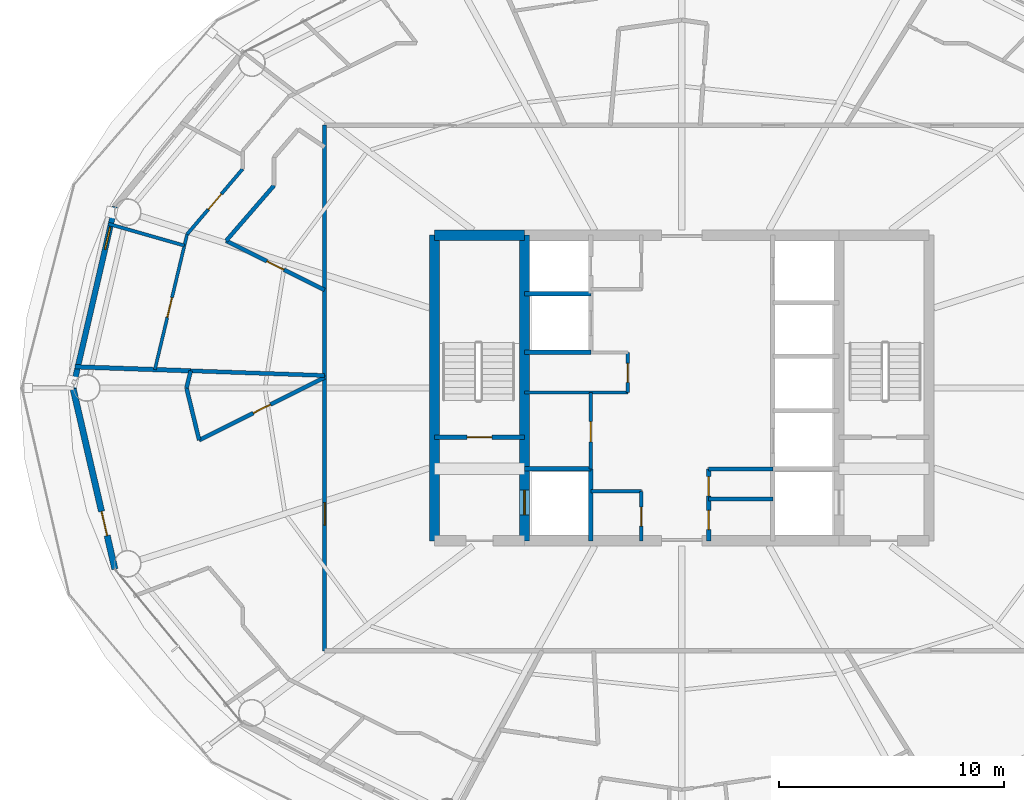
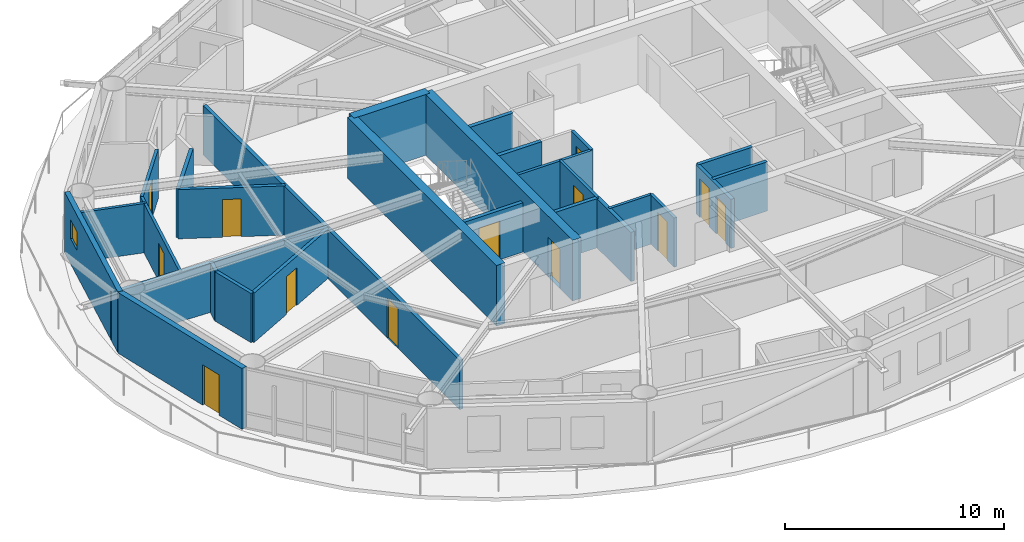
# One storey, part 21 of 28: 30 walls, 13 doors, 1 window, 14 openings.
"""IFC4 building model written with IfcOpenShell, lengths in metres."""

from ifc_helpers import new_model, si_unit, direction, frame, frame_2d, origin, place, context, subcontext, project, spatial, rectangle, extrude, material, layer, layer_set, type_object, element, fill, save


model = new_model("IFC4")

# Units and contexts
model_context = context("Model", 3, precision=1e-05, world=origin(), true_north=direction((0.0, 1.0)))
body_context = subcontext(model_context, "Body", "Model", "MODEL_VIEW")
ifc_project = project(units=[si_unit("LENGTHUNIT", "METRE"), si_unit("AREAUNIT", "SQUARE_METRE"), si_unit("VOLUMEUNIT", "CUBIC_METRE"), si_unit("PLANEANGLEUNIT", "RADIAN"), si_unit("MASSUNIT", "GRAM", prefix="KILO")], contexts=[model_context])

# Site, building, storey
site_placement = place(None, origin())
site = spatial("IfcSite", under=ifc_project, at=site_placement, CompositionType="ELEMENT")
building_placement = place(site_placement, origin())
building = spatial("IfcBuilding", under=site, at=building_placement, Name="Sarneth Arch Tower", CompositionType="ELEMENT")
storey_placement = place(building_placement, frame((0.0, 0.0, 190.199951171875)))
storey = spatial("IfcBuildingStorey", under=building, at=storey_placement, Name="L48", CompositionType="ELEMENT", Elevation=190.199951171875)

# Walls
ifc_material_1 = material(Name="Concrete C50/60", Category="concrete")
ifc_layer_1 = layer(ifc_material_1, 0.449951171875)
ifc_layer_set_1 = layer_set([ifc_layer_1], Name="Concrete C50/60")
wall_type_1 = type_object("IfcWallType", Name="WALL-CORE-450", PredefinedType="SHEAR", material=ifc_layer_set_1)
wall_1_placement = place(storey_placement, frame((37.0, 48.800048828125, 0.0), z_axis=(0.0, 0.0, 1.0), x_axis=(1.0, 0.0, 0.0)))
element("IfcWall", 1, at=wall_1_placement, inside=storey, type_object=wall_type_1, Name="L48 Core shear wall N-W", PredefinedType="SHEAR", context=body_context, shape_type="SweptSolid", body=[
    extrude(rectangle(XDim=4.0, YDim=0.449951171875, at=frame_2d((2.0, 0.0))), origin(), (0.0, 0.0, 1.0), 3.380126953125),
])
wall_2_placement = place(storey_placement, frame((37.0, 35.199951171875, 0.0), z_axis=(0.0, 0.0, 1.0), x_axis=(0.0, 1.0, 0.0)))
element("IfcWall", 2, at=wall_2_placement, inside=storey, type_object=wall_type_1, Name="L48 Core shear wall W", PredefinedType="SHEAR", context=body_context, shape_type="SweptSolid", body=[
    extrude(rectangle(XDim=13.60009765625, YDim=0.449951171875, at=frame_2d((6.800048828125, 0.0))), origin(), (0.0, 0.0, 1.0), 3.380126953125),
])

# Wall, opening, door
wall_3_placement = place(storey_placement, frame((41.0, 35.199951171875, 0.0), z_axis=(0.0, 0.0, 1.0), x_axis=(0.0, 1.0, 0.0)))
wall_3 = element("IfcWall", 3, at=wall_3_placement, inside=storey, type_object=wall_type_1, Name="L48 Core shear wall WEB-W", PredefinedType="SHEAR", context=body_context, shape_type="SweptSolid", body=[
    extrude(rectangle(XDim=13.60009765625, YDim=0.449951171875, at=frame_2d((6.800048828125, 0.0))), origin(), (0.0, 0.0, 1.0), 3.380126953125),
])
opening_1_placement = place(wall_3_placement, frame((1.14990234375, 0.0, 0.0)))
opening_1 = element("IfcOpeningElement", 4, at=opening_1_placement, cuts=wall_3, Name="Opening LD-1", PredefinedType="OPENING", context=body_context, shape_type="SweptSolid", body=[
    extrude(rectangle(XDim=1.10009765625, YDim=2.199951171875, at=frame_2d((0.550048828125, 1.10009765625))), frame((0.0, 0.23486328125, 0.0), z_axis=(0.0, -1.0, 0.0), x_axis=(1.0, 0.0, 0.0)), (0.0, 0.0, 1.0), 0.469970703125),
])
ifc_material_2 = material(Name="Brushed Stainless Steel 304 lift landing door", Category="steel")
door_type_1 = type_object("IfcDoorType", Name="DR-LIFT-SLIDE-1100", OperationType="SLIDING_TO_LEFT", PredefinedType="DOOR", material=ifc_material_2)
door_1_placement = place(opening_1_placement, origin())
door_1 = element("IfcDoor", 5, at=door_1_placement, inside=storey, type_object=door_type_1, Name="L48 Firefighting lift landing door FL-1", OperationType="SLIDING_TO_LEFT", OverallHeight=2.199951171875, OverallWidth=1.10009765625, PredefinedType="DOOR", context=body_context, shape_type="SweptSolid", body=[
    extrude(rectangle(XDim=1.10009765625, YDim=2.199951171875, at=frame_2d((0.550048828125, 1.10009765625))), frame((0.0, 0.02490234375, 0.0), z_axis=(0.0, -1.0, 0.0), x_axis=(1.0, 0.0, 0.0)), (0.0, 0.0, 1.0), 0.050048828125),
])
fill(opening_1, door_1)

ifc_material_3 = material(Name="Double steel-stud corridor fire wall", Category="steel")
ifc_layer_2 = layer(ifc_material_3, 0.18994140625)
ifc_layer_set_2 = layer_set([ifc_layer_2], Name="Double steel-stud corridor fire wall")
wall_type_2 = type_object("IfcWallType", Name="WALL-CORR-190", PredefinedType="PARTITIONING", material=ifc_layer_set_2)
wall_4_placement = place(storey_placement, frame((32.10009765625, 30.300048828125, 0.0), z_axis=(0.0, 0.0, 1.0), x_axis=(0.0, 1.0, 0.0)))
wall_4 = element("IfcWall", 6, at=wall_4_placement, inside=storey, type_object=wall_type_2, Name="L48 Interior partition W-L48-TP-012", PredefinedType="PARTITIONING", context=body_context, shape_type="SweptSolid", body=[
    extrude(rectangle(XDim=12.287109375, YDim=0.18994140625, at=frame_2d((6.1435546875, 0.0))), origin(), (0.0, 0.0, 1.0), 2.739990234375),
])
opening_2_placement = place(wall_4_placement, frame((5.6005859375, 0.0, 0.0)))
opening_2 = element("IfcOpeningElement", 7, at=opening_2_placement, cuts=wall_4, Name="Opening FD-08", PredefinedType="OPENING", context=body_context, shape_type="SweptSolid", body=[
    extrude(rectangle(XDim=1.0, YDim=2.199951171875, at=frame_2d((0.5, 1.10009765625))), frame((0.0, 0.10498046875, 0.0), z_axis=(0.0, -1.0, 0.0), x_axis=(1.0, 0.0, 0.0)), (0.0, 0.0, 1.0), 0.2099609375),
])
ifc_material_4 = material(Name="Hardwood timber acoustic fire door", Category="wood")
door_type_2 = type_object("IfcDoorType", Name="DR-FD60-1000", OperationType="SINGLE_SWING_LEFT", PredefinedType="DOOR", material=ifc_material_4)
door_2_placement = place(opening_2_placement, origin())
door_2 = element("IfcDoor", 8, at=door_2_placement, inside=storey, type_object=door_type_2, Name="L48 Interior door DR-L48-U4-ENT", OperationType="SINGLE_SWING_LEFT", OverallHeight=2.199951171875, OverallWidth=1.0, PredefinedType="DOOR", context=body_context, shape_type="SweptSolid", body=[
    extrude(rectangle(XDim=1.0, YDim=2.199951171875, at=frame_2d((0.5, 1.10009765625))), frame((0.0, 0.02490234375, 0.0), z_axis=(0.0, -1.0, 0.0), x_axis=(1.0, 0.0, 0.0)), (0.0, 0.0, 1.0), 0.050048828125),
])
fill(opening_2, door_2)

# Wall
wall_5_placement = place(storey_placement, frame((32.10009765625, 42.523193359375, 0.0), z_axis=(0.0, 0.0, 1.0), x_axis=(0.0, 1.0, 0.0)))
element("IfcWall", 9, at=wall_5_placement, inside=storey, type_object=wall_type_2, Name="L48 Interior partition W-L48-TP-010", PredefinedType="PARTITIONING", context=body_context, shape_type="SweptSolid", body=[
    extrude(rectangle(XDim=11.1767578125, YDim=0.18994140625, at=frame_2d((5.58837890625, 0.0))), origin(), (0.0, 0.0, 1.0), 2.739990234375),
])

# Wall, opening, window
ifc_material_5 = material(Name="Extruded terracotta rainscreen on Concrete C40/50 backing", Category="masonry")
ifc_layer_3 = layer(ifc_material_5, 0.25)
ifc_layer_set_3 = layer_set([ifc_layer_3], Name="Extruded terracotta rainscreen on Concrete C40/50 backing")
wall_type_3 = type_object("IfcWallType", Name="WALL-EXT-SPAND-250", PredefinedType="SOLIDWALL", material=ifc_layer_set_3)
wall_6_placement = place(storey_placement, frame((22.767578125, 50.06689453125, 0.0), z_axis=(0.0, 0.0, 1.0), x_axis=(-0.225473184558, -0.974249374157, 0.0)))
wall_6 = element("IfcWall", 10, at=wall_6_placement, inside=storey, type_object=wall_type_3, Name="L48 Terracotta perimeter wall 08", PredefinedType="SOLIDWALL", context=body_context, shape_type="SweptSolid", body=[
    extrude(rectangle(XDim=8.280029296875, YDim=0.25, at=frame_2d((4.14013671875, 0.0))), origin(), (0.0, 0.0, 1.0), 3.380126953125),
])
opening_3_placement = place(wall_6_placement, frame((0.9462890625, 0.0, 1.419921875)))
opening_3 = element("IfcOpeningElement", 11, at=opening_3_placement, cuts=wall_6, Name="Opening W-14", PredefinedType="OPENING", context=body_context, shape_type="SweptSolid", body=[
    extrude(rectangle(XDim=1.0, YDim=1.050048828125, at=frame_2d((0.5, 0.52490234375))), frame((0.0, 0.135009765625, 0.0), z_axis=(0.0, -1.0, 0.0), x_axis=(1.0, 0.0, 0.0)), (0.0, 0.0, 1.0), 0.27001953125),
])
ifc_material_6 = material(Name="Thermally broken Aluminium 6063-T6 and low-e laminated IGU", Category="aluminium")
window_type = type_object("IfcWindowType", Name="WIN-TWR-1000x1050", PartitioningType="SINGLE_PANEL", PredefinedType="WINDOW", material=ifc_material_6)
window_placement = place(opening_3_placement, origin())
window = element("IfcWindow", 12, at=window_placement, inside=storey, type_object=window_type, Name="L48 Dwelling bedroom window 02", OverallHeight=1.050048828125, OverallWidth=1.0, PartitioningType="SINGLE_PANEL", PredefinedType="WINDOW", context=body_context, shape_type="SweptSolid", body=[
    extrude(rectangle(XDim=1.0, YDim=1.050048828125, at=frame_2d((0.5, 0.52490234375))), frame((0.0, 0.030029296875, 0.0), z_axis=(0.0, -1.0, 0.0), x_axis=(1.0, 0.0, 0.0)), (0.0, 0.0, 1.0), 0.06005859375),
])
fill(opening_3, window)

# Wall, opening, door
ifc_material_7 = material(Name="Extruded terracotta rainscreen on Concrete C40/50 backing", Category="masonry")
ifc_layer_4 = layer(ifc_material_7, 0.280029296875)
ifc_layer_set_4 = layer_set([ifc_layer_4], Name="Extruded terracotta rainscreen on Concrete C40/50 backing")
wall_type_4 = type_object("IfcWallType", Name="WALL-EXT-TERRA-280", PredefinedType="SOLIDWALL", material=ifc_layer_set_4)
wall_7_placement = place(storey_placement, frame((20.900634765625, 42.0, 0.0), z_axis=(0.0, 0.0, 1.0), x_axis=(0.225473184558, -0.974249374157, 0.0)))
wall_7 = element("IfcWall", 13, at=wall_7_placement, inside=storey, type_object=wall_type_4, Name="L48 Terracotta perimeter wall 09", PredefinedType="SOLIDWALL", context=body_context, shape_type="SweptSolid", body=[
    extrude(rectangle(XDim=8.280029296875, YDim=0.280029296875, at=frame_2d((4.14013671875, 0.0))), origin(), (0.0, 0.0, 1.0), 3.380126953125),
])
opening_4_placement = place(wall_7_placement, frame((5.643798828125, 0.0, 0.0)))
opening_4 = element("IfcOpeningElement", 14, at=opening_4_placement, cuts=wall_7, Name="Opening BD-3", PredefinedType="OPENING", context=body_context, shape_type="SweptSolid", body=[
    extrude(rectangle(XDim=1.10009765625, YDim=2.25, at=frame_2d((0.550048828125, 1.125))), frame((0.0, 0.14990234375, 0.0), z_axis=(0.0, -1.0, 0.0), x_axis=(1.0, 0.0, 0.0)), (0.0, 0.0, 1.0), 0.300048828125),
])
ifc_material_8 = material(Name="Thermally broken Aluminium 6063-T6 and laminated safety glass", Category="aluminium")
door_type_3 = type_object("IfcDoorType", Name="DR-BALC-GLZ-1100", OperationType="SINGLE_SWING_LEFT", PredefinedType="DOOR", material=ifc_material_8)
door_3_placement = place(opening_4_placement, origin())
door_3 = element("IfcDoor", 15, at=door_3_placement, inside=storey, type_object=door_type_3, Name="L48 Balcony glazed door 09", OperationType="SINGLE_SWING_LEFT", OverallHeight=2.25, OverallWidth=1.10009765625, PredefinedType="DOOR", context=body_context, shape_type="SweptSolid", body=[
    extrude(rectangle(XDim=1.10009765625, YDim=2.25, at=frame_2d((0.550048828125, 1.125))), frame((0.0, 0.02490234375, 0.0), z_axis=(0.0, -1.0, 0.0), x_axis=(1.0, 0.0, 0.0)), (0.0, 0.0, 1.0), 0.050048828125),
])
fill(opening_4, door_3)

ifc_material_9 = material(Name="Apartment internal stud partition", Category="gypsum")
ifc_layer_5 = layer(ifc_material_9, 0.139892578125)
ifc_layer_set_5 = layer_set([ifc_layer_5], Name="Apartment internal stud partition")
wall_type_5 = type_object("IfcWallType", Name="WALL-PART-140", PredefinedType="PARTITIONING", material=ifc_layer_set_5)
wall_8_placement = place(storey_placement, frame((25.980712890625, 48.84228515625, 0.0), z_axis=(0.0, 0.0, 1.0), x_axis=(-0.231656065658, -0.972797752487, 0.0)))
wall_8 = element("IfcWall", 16, at=wall_8_placement, inside=storey, type_object=wall_type_5, Name="L48 Interior partition W-L48-TP-068", PredefinedType="PARTITIONING", context=body_context, shape_type="SweptSolid", body=[
    extrude(rectangle(XDim=6.191650390625, YDim=0.139892578125, at=frame_2d((3.095703125, 0.0))), origin(), (0.0, 0.0, 1.0), 2.739990234375),
])
opening_5_placement = place(wall_8_placement, frame((2.9052734375, 0.0, 0.0)))
opening_5 = element("IfcOpeningElement", 17, at=opening_5_placement, cuts=wall_8, Name="Opening ID-01", PredefinedType="OPENING", context=body_context, shape_type="SweptSolid", body=[
    extrude(rectangle(XDim=0.89990234375, YDim=2.10009765625, at=frame_2d((0.449951171875, 1.050048828125))), frame((0.0, 0.079833984375, 0.0), z_axis=(0.0, -1.0, 0.0), x_axis=(1.0, 0.0, 0.0)), (0.0, 0.0, 1.0), 0.159912109375),
])
ifc_material_10 = material(Name="Engineered hardwood flush door", Category="wood")
door_type_4 = type_object("IfcDoorType", Name="DR-INT-900", OperationType="SINGLE_SWING_LEFT", PredefinedType="DOOR", material=ifc_material_10)
door_4_placement = place(opening_5_placement, origin())
door_4 = element("IfcDoor", 18, at=door_4_placement, inside=storey, type_object=door_type_4, Name="L48 Interior door DR-L48-U3-BED3", OperationType="SINGLE_SWING_RIGHT", OverallHeight=2.10009765625, OverallWidth=0.89990234375, PredefinedType="DOOR", context=body_context, shape_type="SweptSolid", body=[
    extrude(rectangle(XDim=0.89990234375, YDim=2.10009765625, at=frame_2d((0.449951171875, 1.050048828125))), frame((0.0, 0.02490234375, 0.0), z_axis=(0.0, -1.0, 0.0), x_axis=(1.0, 0.0, 0.0)), (0.0, 0.0, 1.0), 0.050048828125),
])
fill(opening_5, door_4)

ifc_material_11 = material(Name="Acoustic gypsum stud partition", Category="gypsum")
ifc_layer_6 = layer(ifc_material_11, 0.14990234375)
ifc_layer_set_6 = layer_set([ifc_layer_6], Name="Acoustic gypsum stud partition")
wall_type_6 = type_object("IfcWallType", Name="WALL-PART-150", PredefinedType="PARTITIONING", material=ifc_layer_set_6)
wall_9_placement = place(storey_placement, frame((43.949951171875, 38.39990234375, 0.0), z_axis=(0.0, 0.0, 1.0), x_axis=(0.0, 1.0, 0.0)))
wall_9 = element("IfcWall", 19, at=wall_9_placement, inside=storey, type_object=wall_type_6, Name="L48 Interior partition W-L48-RECPL-E1", PredefinedType="PARTITIONING", context=body_context, shape_type="SweptSolid", body=[
    extrude(rectangle(XDim=3.400146484375, YDim=0.14990234375, at=frame_2d((1.7001953125, 0.0))), origin(), (0.0, 0.0, 1.0), 2.739990234375),
])
opening_6_placement = place(wall_9_placement, frame((1.199951171875, 0.0, 0.0)))
opening_6 = element("IfcOpeningElement", 20, at=opening_6_placement, cuts=wall_9, Name="Opening FD-10", PredefinedType="OPENING", context=body_context, shape_type="SweptSolid", body=[
    extrude(rectangle(XDim=0.89990234375, YDim=2.14990234375, at=frame_2d((0.449951171875, 1.074951171875))), frame((0.0, 0.0849609375, 0.0), z_axis=(0.0, -1.0, 0.0), x_axis=(1.0, 0.0, 0.0)), (0.0, 0.0, 1.0), 0.169921875),
])
ifc_material_12 = material(Name="Galvanised Steel S275 riser/service fire door", Category="steel")
door_type_5 = type_object("IfcDoorType", Name="DR-FD60-900", OperationType="SINGLE_SWING_LEFT", PredefinedType="DOOR", material=ifc_material_12)
door_5_placement = place(opening_6_placement, origin())
door_5 = element("IfcDoor", 21, at=door_5_placement, inside=storey, type_object=door_type_5, Name="L48 Interior door DR-L48-RECPL1", OperationType="SINGLE_SWING_LEFT", OverallHeight=2.14990234375, OverallWidth=0.89990234375, PredefinedType="DOOR", context=body_context, shape_type="SweptSolid", body=[
    extrude(rectangle(XDim=0.89990234375, YDim=2.14990234375, at=frame_2d((0.449951171875, 1.074951171875))), frame((0.0, 0.02490234375, 0.0), z_axis=(0.0, -1.0, 0.0), x_axis=(1.0, 0.0, 0.0)), (0.0, 0.0, 1.0), 0.050048828125),
])
fill(opening_6, door_5)

# Wall
wall_10_placement = place(storey_placement, frame((41.0, 41.800048828125, 0.0), z_axis=(0.0, 0.0, 1.0), x_axis=(1.0, 0.0, 0.0)))
element("IfcWall", 22, at=wall_10_placement, inside=storey, type_object=wall_type_6, Name="L48 Interior partition W-L48-RECPL-S2", PredefinedType="PARTITIONING", context=body_context, shape_type="SweptSolid", body=[
    extrude(rectangle(XDim=4.60009765625, YDim=0.14990234375, at=frame_2d((2.300048828125, 0.0))), origin(), (0.0, 0.0, 1.0), 2.739990234375),
])

# Wall, opening, door
wall_11_placement = place(storey_placement, frame((45.60009765625, 41.800048828125, 0.0), z_axis=(0.0, 0.0, 1.0), x_axis=(0.0, 1.0, 0.0)))
wall_11 = element("IfcWall", 23, at=wall_11_placement, inside=storey, type_object=wall_type_6, Name="L48 Interior partition W-L48-RECPL-E2", PredefinedType="PARTITIONING", context=body_context, shape_type="SweptSolid", body=[
    extrude(rectangle(XDim=1.780029296875, YDim=0.14990234375, at=frame_2d((0.89013671875, 0.0))), origin(), (0.0, 0.0, 1.0), 2.739990234375),
])
opening_7_placement = place(wall_11_placement, frame((0.449951171875, 0.0, 0.0)))
opening_7 = element("IfcOpeningElement", 24, at=opening_7_placement, cuts=wall_11, Name="Opening FD-11", PredefinedType="OPENING", context=body_context, shape_type="SweptSolid", body=[
    extrude(rectangle(XDim=0.85009765625, YDim=2.14990234375, at=frame_2d((0.425048828125, 1.074951171875))), frame((0.0, 0.0849609375, 0.0), z_axis=(0.0, -1.0, 0.0), x_axis=(1.0, 0.0, 0.0)), (0.0, 0.0, 1.0), 0.169921875),
])
ifc_material_13 = material(Name="Galvanised Steel S275 closet fire door", Category="steel")
door_type_6 = type_object("IfcDoorType", Name="DR-FD60-850", OperationType="SINGLE_SWING_LEFT", PredefinedType="DOOR", material=ifc_material_13)
door_6_placement = place(opening_7_placement, origin())
door_6 = element("IfcDoor", 25, at=door_6_placement, inside=storey, type_object=door_type_6, Name="L48 Interior door DR-L48-RECPL2", OperationType="SINGLE_SWING_RIGHT", OverallHeight=2.14990234375, OverallWidth=0.85009765625, PredefinedType="DOOR", context=body_context, shape_type="SweptSolid", body=[
    extrude(rectangle(XDim=0.85009765625, YDim=2.14990234375, at=frame_2d((0.425048828125, 1.074951171875))), frame((0.0, 0.02490234375, 0.0), z_axis=(0.0, -1.0, 0.0), x_axis=(1.0, 0.0, 0.0)), (0.0, 0.0, 1.0), 0.050048828125),
])
fill(opening_7, door_6)

# Wall
wall_12_placement = place(storey_placement, frame((43.949951171875, 37.39990234375, 0.0), z_axis=(0.0, 0.0, 1.0), x_axis=(1.0, 0.0, 0.0)))
element("IfcWall", 26, at=wall_12_placement, inside=storey, type_object=wall_type_6, Name="L48 Interior partition W-L48-CSUP1-N", PredefinedType="PARTITIONING", context=body_context, shape_type="SweptSolid", body=[
    extrude(rectangle(XDim=2.25, YDim=0.14990234375, at=frame_2d((1.125, 0.0))), origin(), (0.0, 0.0, 1.0), 2.739990234375),
])

# Wall, opening, door
wall_13_placement = place(storey_placement, frame((46.199951171875, 35.199951171875, 0.0), z_axis=(0.0, 0.0, 1.0), x_axis=(0.0, 1.0, 0.0)))
wall_13 = element("IfcWall", 27, at=wall_13_placement, inside=storey, type_object=wall_type_6, Name="L48 Interior partition W-L48-CSUP1-E", PredefinedType="PARTITIONING", context=body_context, shape_type="SweptSolid", body=[
    extrude(rectangle(XDim=2.199951171875, YDim=0.14990234375, at=frame_2d((1.10009765625, 0.0))), origin(), (0.0, 0.0, 1.0), 2.739990234375),
])
opening_8_placement = place(wall_13_placement, frame((0.64990234375, 0.0, 0.0)))
opening_8 = element("IfcOpeningElement", 28, at=opening_8_placement, cuts=wall_13, Name="Opening FD-11", PredefinedType="OPENING", context=body_context, shape_type="SweptSolid", body=[
    extrude(rectangle(XDim=0.85009765625, YDim=2.14990234375, at=frame_2d((0.425048828125, 1.074951171875))), frame((0.0, 0.0849609375, 0.0), z_axis=(0.0, -1.0, 0.0), x_axis=(1.0, 0.0, 0.0)), (0.0, 0.0, 1.0), 0.169921875),
])
door_7_placement = place(opening_8_placement, origin())
door_7 = element("IfcDoor", 29, at=door_7_placement, inside=storey, type_object=door_type_6, Name="L48 Interior door DR-L48-CSUP1", OperationType="SINGLE_SWING_LEFT", OverallHeight=2.14990234375, OverallWidth=0.85009765625, PredefinedType="DOOR", context=body_context, shape_type="SweptSolid", body=[
    extrude(rectangle(XDim=0.85009765625, YDim=2.14990234375, at=frame_2d((0.425048828125, 1.074951171875))), frame((0.0, 0.02490234375, 0.0), z_axis=(0.0, -1.0, 0.0), x_axis=(1.0, 0.0, 0.0)), (0.0, 0.0, 1.0), 0.050048828125),
])
fill(opening_8, door_7)

wall_14_placement = place(storey_placement, frame((25.980712890625, 48.84228515625, 0.0), z_axis=(0.0, 0.0, 1.0), x_axis=(0.648022171798, 0.761621470849, 0.0)))
wall_14 = element("IfcWall", 30, at=wall_14_placement, inside=storey, type_object=wall_type_6, Name="L48 Interior partition W-L48-TP-066", PredefinedType="PARTITIONING", context=body_context, shape_type="SweptSolid", body=[
    extrude(rectangle(XDim=3.810302734375, YDim=0.14990234375, at=frame_2d((1.9052734375, 0.0))), origin(), (0.0, 0.0, 1.0), 2.739990234375),
])
opening_9_placement = place(wall_14_placement, frame((1.455078125, 0.0, 0.0)))
opening_9 = element("IfcOpeningElement", 31, at=opening_9_placement, cuts=wall_14, Name="Opening ID-01", PredefinedType="OPENING", context=body_context, shape_type="SweptSolid", body=[
    extrude(rectangle(XDim=0.89990234375, YDim=2.10009765625, at=frame_2d((0.449951171875, 1.050048828125))), frame((0.0, 0.0849609375, 0.0), z_axis=(0.0, -1.0, 0.0), x_axis=(1.0, 0.0, 0.0)), (0.0, 0.0, 1.0), 0.169921875),
])
door_8_placement = place(opening_9_placement, origin())
door_8 = element("IfcDoor", 32, at=door_8_placement, inside=storey, type_object=door_type_4, Name="L48 Interior door DR-L48-U3-BED2", OperationType="SINGLE_SWING_LEFT", OverallHeight=2.10009765625, OverallWidth=0.89990234375, PredefinedType="DOOR", context=body_context, shape_type="SweptSolid", body=[
    extrude(rectangle(XDim=0.89990234375, YDim=2.10009765625, at=frame_2d((0.449951171875, 1.050048828125))), frame((0.0, 0.02490234375, 0.0), z_axis=(0.0, -1.0, 0.0), x_axis=(1.0, 0.0, 0.0)), (0.0, 0.0, 1.0), 0.050048828125),
])
fill(opening_9, door_8)

# Walls
wall_15_placement = place(storey_placement, frame((22.468994140625, 49.30859375, 0.0), z_axis=(0.0, 0.0, 1.0), x_axis=(0.961393254498, -0.275178142674, 0.0)))
element("IfcWall", 33, at=wall_15_placement, inside=storey, type_object=wall_type_6, Name="L48 Interior partition W-L48-TP-074", PredefinedType="PARTITIONING", context=body_context, shape_type="SweptSolid", body=[
    extrude(rectangle(XDim=3.527587890625, YDim=0.14990234375, at=frame_2d((1.763671875, 0.0))), origin(), (0.0, 0.0, 1.0), 2.739990234375),
])
ifc_material_14 = material(Name="Moisture-resistant plumbing chase wall", Category="gypsum")
ifc_layer_7 = layer(ifc_material_14, 0.179931640625)
ifc_layer_set_7 = layer_set([ifc_layer_7], Name="Moisture-resistant plumbing chase wall")
wall_type_7 = type_object("IfcWallType", Name="WALL-PLUMB-180", PredefinedType="PLUMBINGWALL", material=ifc_layer_set_7)
for number, where, z_axis, x_axis, name in (
    (34, (49.199951171875, 37.050048828125, 0.0), (0.0, 0.0, 1.0), (1.0, 0.0, 0.0), "L48 Interior partition W-L48-AWC-M"),
    (35, (49.199951171875, 38.39990234375, 0.0), (0.0, 0.0, 1.0), (1.0, 0.0, 0.0), "L48 Interior partition W-L48-AWC-N"),
):
    element("IfcWall", number, at=place(storey_placement, frame(where, z_axis=z_axis, x_axis=x_axis)), inside=storey, type_object=wall_type_7, Name=name, PredefinedType="PLUMBINGWALL", context=body_context, shape_type="SweptSolid", body=[
        extrude(rectangle(XDim=2.85009765625, YDim=0.179931640625, at=frame_2d((1.425048828125, 0.0))), origin(), (0.0, 0.0, 1.0), 2.739990234375),
    ])

# Wall, openings, doors
wall_16_placement = place(storey_placement, frame((49.199951171875, 35.199951171875, 0.0), z_axis=(0.0, 0.0, 1.0), x_axis=(0.0, 1.0, 0.0)))
wall_16 = element("IfcWall", 36, at=wall_16_placement, inside=storey, type_object=wall_type_7, Name="L48 Interior partition W-L48-AWC-W", PredefinedType="PLUMBINGWALL", context=body_context, shape_type="SweptSolid", body=[
    extrude(rectangle(XDim=3.199951171875, YDim=0.179931640625, at=frame_2d((1.60009765625, 0.0))), origin(), (0.0, 0.0, 1.0), 2.739990234375),
])
opening_10_placement = place(wall_16_placement, frame((0.5, 0.0, 0.0)))
opening_10 = element("IfcOpeningElement", 37, at=opening_10_placement, cuts=wall_16, Name="Opening ID-02", PredefinedType="OPENING", context=body_context, shape_type="SweptSolid", body=[
    extrude(rectangle(XDim=0.85009765625, YDim=2.10009765625, at=frame_2d((0.425048828125, 1.050048828125))), frame((0.0, 0.099853515625, 0.0), z_axis=(0.0, -1.0, 0.0), x_axis=(1.0, 0.0, 0.0)), (0.0, 0.0, 1.0), 0.199951171875),
])
opening_11_placement = place(wall_16_placement, frame((2.0, 0.0, 0.0)))
opening_11 = element("IfcOpeningElement", 38, at=opening_11_placement, cuts=wall_16, Name="Opening FD-11", PredefinedType="OPENING", context=body_context, shape_type="SweptSolid", body=[
    extrude(rectangle(XDim=0.85009765625, YDim=2.14990234375, at=frame_2d((0.425048828125, 1.074951171875))), frame((0.0, 0.099853515625, 0.0), z_axis=(0.0, -1.0, 0.0), x_axis=(1.0, 0.0, 0.0)), (0.0, 0.0, 1.0), 0.199951171875),
])
door_9_placement = place(opening_11_placement, origin())
door_9 = element("IfcDoor", 39, at=door_9_placement, inside=storey, type_object=door_type_6, Name="L48 Interior door DR-L48-CSUP3", OperationType="SINGLE_SWING_LEFT", OverallHeight=2.14990234375, OverallWidth=0.85009765625, PredefinedType="DOOR", context=body_context, shape_type="SweptSolid", body=[
    extrude(rectangle(XDim=0.85009765625, YDim=2.14990234375, at=frame_2d((0.425048828125, 1.074951171875))), frame((0.0, 0.02490234375, 0.0), z_axis=(0.0, -1.0, 0.0), x_axis=(1.0, 0.0, 0.0)), (0.0, 0.0, 1.0), 0.050048828125),
])
fill(opening_11, door_9)
ifc_material_15 = material(Name="Moisture-resistant bathroom timber door", Category="wood")
door_type_7 = type_object("IfcDoorType", Name="DR-INT-850", OperationType="SINGLE_SWING_RIGHT", PredefinedType="DOOR", material=ifc_material_15)
door_10_placement = place(opening_10_placement, origin())
door_10 = element("IfcDoor", 40, at=door_10_placement, inside=storey, type_object=door_type_7, Name="L48 Interior door DR-L48-AWC", OperationType="SINGLE_SWING_RIGHT", OverallHeight=2.10009765625, OverallWidth=0.85009765625, PredefinedType="DOOR", context=body_context, shape_type="SweptSolid", body=[
    extrude(rectangle(XDim=0.85009765625, YDim=2.10009765625, at=frame_2d((0.425048828125, 1.050048828125))), frame((0.0, 0.02490234375, 0.0), z_axis=(0.0, -1.0, 0.0), x_axis=(1.0, 0.0, 0.0)), (0.0, 0.0, 1.0), 0.050048828125),
])
fill(opening_10, door_10)

# Wall, opening, door
wall_17_placement = place(storey_placement, frame((26.51708984375, 39.6806640625, 0.0), z_axis=(0.0, 0.0, 1.0), x_axis=(0.894865037171, 0.446336829367, 0.0)))
wall_17 = element("IfcWall", 41, at=wall_17_placement, inside=storey, type_object=wall_type_7, Name="L48 Interior partition W-L48-TP-082", PredefinedType="PLUMBINGWALL", context=body_context, shape_type="SweptSolid", body=[
    extrude(rectangle(XDim=6.239013671875, YDim=0.179931640625, at=frame_2d((3.11962890625, 0.0))), origin(), (0.0, 0.0, 1.0), 2.739990234375),
])
opening_12_placement = place(wall_17_placement, frame((2.694580078125, 0.0, 0.0)))
opening_12 = element("IfcOpeningElement", 42, at=opening_12_placement, cuts=wall_17, Name="Opening ID-02", PredefinedType="OPENING", context=body_context, shape_type="SweptSolid", body=[
    extrude(rectangle(XDim=0.85009765625, YDim=2.10009765625, at=frame_2d((0.425048828125, 1.050048828125))), frame((0.0, 0.099853515625, 0.0), z_axis=(0.0, -1.0, 0.0), x_axis=(1.0, 0.0, 0.0)), (0.0, 0.0, 1.0), 0.199951171875),
])
door_11_placement = place(opening_12_placement, origin())
door_11 = element("IfcDoor", 43, at=door_11_placement, inside=storey, type_object=door_type_7, Name="L48 Interior door DR-L48-U4-BATH", OperationType="SINGLE_SWING_RIGHT", OverallHeight=2.10009765625, OverallWidth=0.85009765625, PredefinedType="DOOR", context=body_context, shape_type="SweptSolid", body=[
    extrude(rectangle(XDim=0.85009765625, YDim=2.10009765625, at=frame_2d((0.425048828125, 1.050048828125))), frame((0.0, 0.02490234375, 0.0), z_axis=(0.0, -1.0, 0.0), x_axis=(1.0, 0.0, 0.0)), (0.0, 0.0, 1.0), 0.050048828125),
])
fill(opening_12, door_11)

# Wall
wall_18_placement = place(storey_placement, frame((26.139892578125, 42.763427734375, 0.0), z_axis=(0.0, 0.0, 1.0), x_axis=(0.999390142546, -0.034919091942, 0.0)))
element("IfcWall", 44, at=wall_18_placement, inside=storey, type_object=wall_type_7, Name="L48 Interior partition W-L48-TP-070", PredefinedType="PLUMBINGWALL", context=body_context, shape_type="SweptSolid", body=[
    extrude(rectangle(XDim=5.9638671875, YDim=0.179931640625, at=frame_2d((2.98193359375, 0.0))), origin(), (0.0, 0.0, 1.0), 2.739990234375),
])

# Wall, opening, door
wall_19_placement = place(storey_placement, frame((32.10009765625, 46.360595703125, 0.0), z_axis=(0.0, 0.0, 1.0), x_axis=(-0.894855298441, 0.446356354108, 0.0)))
wall_19 = element("IfcWall", 45, at=wall_19_placement, inside=storey, type_object=wall_type_7, Name="L48 Interior partition W-L48-TP-057", PredefinedType="PLUMBINGWALL", context=body_context, shape_type="SweptSolid", body=[
    extrude(rectangle(XDim=4.899658203125, YDim=0.179931640625, at=frame_2d((2.44970703125, 0.0))), origin(), (0.0, 0.0, 1.0), 2.739990234375),
])
opening_13_placement = place(wall_19_placement, frame((2.02490234375, 0.0, 0.0)))
opening_13 = element("IfcOpeningElement", 46, at=opening_13_placement, cuts=wall_19, Name="Opening ID-02", PredefinedType="OPENING", context=body_context, shape_type="SweptSolid", body=[
    extrude(rectangle(XDim=0.85009765625, YDim=2.10009765625, at=frame_2d((0.425048828125, 1.050048828125))), frame((0.0, 0.099853515625, 0.0), z_axis=(0.0, -1.0, 0.0), x_axis=(1.0, 0.0, 0.0)), (0.0, 0.0, 1.0), 0.199951171875),
])
door_12_placement = place(opening_13_placement, origin())
door_12 = element("IfcDoor", 47, at=door_12_placement, inside=storey, type_object=door_type_7, Name="L48 Interior door DR-L48-U3-BATH", OperationType="SINGLE_SWING_LEFT", OverallHeight=2.10009765625, OverallWidth=0.85009765625, PredefinedType="DOOR", context=body_context, shape_type="SweptSolid", body=[
    extrude(rectangle(XDim=0.85009765625, YDim=2.10009765625, at=frame_2d((0.425048828125, 1.050048828125))), frame((0.0, 0.02490234375, 0.0), z_axis=(0.0, -1.0, 0.0), x_axis=(1.0, 0.0, 0.0)), (0.0, 0.0, 1.0), 0.050048828125),
])
fill(opening_13, door_12)

# Walls
wall_20_placement = place(storey_placement, frame((27.715576171875, 48.547607421875, 0.0), z_axis=(0.0, 0.0, 1.0), x_axis=(0.654599825797, 0.755975573724, 0.0)))
element("IfcWall", 48, at=wall_20_placement, inside=storey, type_object=wall_type_7, Name="L48 Interior partition W-L48-TP-058", PredefinedType="PLUMBINGWALL", context=body_context, shape_type="SweptSolid", body=[
    extrude(rectangle(XDim=3.2607421875, YDim=0.179931640625, at=frame_2d((1.63037109375, 0.0))), origin(), (0.0, 0.0, 1.0), 2.739990234375),
])
wall_21_placement = place(storey_placement, frame((25.955078125, 42.0, 0.0), z_axis=(0.0, 0.0, 1.0), x_axis=(0.23550047238, -0.971874234409, 0.0)))
element("IfcWall", 49, at=wall_21_placement, inside=storey, type_object=wall_type_7, Name="L48 Interior partition W-L48-TP-081", PredefinedType="PLUMBINGWALL", context=body_context, shape_type="SweptSolid", body=[
    extrude(rectangle(XDim=2.386474609375, YDim=0.179931640625, at=frame_2d((1.193359375, 0.0))), origin(), (0.0, 0.0, 1.0), 2.739990234375),
])
wall_22_placement = place(storey_placement, frame((26.139892578125, 42.763427734375, 0.0), z_axis=(0.0, 0.0, 1.0), x_axis=(-0.235288657137, -0.971925536151, 0.0)))
element("IfcWall", 50, at=wall_22_placement, inside=storey, type_object=wall_type_7, Name="L48 Interior partition W-L48-TP-080", PredefinedType="PLUMBINGWALL", context=body_context, shape_type="SweptSolid", body=[
    extrude(rectangle(XDim=0.785400390625, YDim=0.179931640625, at=frame_2d((0.392578125, 0.0))), origin(), (0.0, 0.0, 1.0), 2.739990234375),
])

# Wall, opening, door
ifc_material_16 = material(Name="Aerated concrete blockwork C25/30", Category="masonry")
ifc_layer_8 = layer(ifc_material_16, 0.199951171875)
ifc_layer_set_8 = layer_set([ifc_layer_8], Name="Aerated concrete blockwork C25/30")
wall_type_8 = type_object("IfcWallType", Name="WALL-SHAFT-200", PredefinedType="SOLIDWALL", material=ifc_layer_set_8)
wall_23_placement = place(storey_placement, frame((37.0, 39.800048828125, 0.0), z_axis=(0.0, 0.0, 1.0), x_axis=(1.0, 0.0, 0.0)))
wall_23 = element("IfcWall", 51, at=wall_23_placement, inside=storey, type_object=wall_type_8, Name="L48 Interior partition W-L48-ST1-S", PredefinedType="SOLIDWALL", context=body_context, shape_type="SweptSolid", body=[
    extrude(rectangle(XDim=4.0, YDim=0.199951171875, at=frame_2d((2.0, 0.0))), origin(), (0.0, 0.0, 1.0), 2.739990234375),
])
opening_14_placement = place(wall_23_placement, frame((1.449951171875, 0.0, 0.0)))
opening_14 = element("IfcOpeningElement", 52, at=opening_14_placement, cuts=wall_23, Name="Opening FD-03", PredefinedType="OPENING", context=body_context, shape_type="SweptSolid", body=[
    extrude(rectangle(XDim=1.10009765625, YDim=2.14990234375, at=frame_2d((0.550048828125, 1.074951171875))), frame((0.0, 0.10986328125, 0.0), z_axis=(0.0, -1.0, 0.0), x_axis=(1.0, 0.0, 0.0)), (0.0, 0.0, 1.0), 0.219970703125),
])
ifc_material_17 = material(Name="Galvanised Steel S275 fire door set", Category="steel")
door_type_8 = type_object("IfcDoorType", Name="DR-FD90-1100", OperationType="SINGLE_SWING_LEFT", PredefinedType="DOOR", material=ifc_material_17)
door_13_placement = place(opening_14_placement, origin())
door_13 = element("IfcDoor", 53, at=door_13_placement, inside=storey, type_object=door_type_8, Name="L48 Interior door DR-L48-ST1", OperationType="SINGLE_SWING_LEFT", OverallHeight=2.14990234375, OverallWidth=1.10009765625, PredefinedType="DOOR", context=body_context, shape_type="SweptSolid", body=[
    extrude(rectangle(XDim=1.10009765625, YDim=2.14990234375, at=frame_2d((0.550048828125, 1.074951171875))), frame((0.0, 0.02490234375, 0.0), z_axis=(0.0, -1.0, 0.0), x_axis=(1.0, 0.0, 0.0)), (0.0, 0.0, 1.0), 0.050048828125),
])
fill(opening_14, door_13)

# Walls
wall_24_placement = place(storey_placement, frame((43.949951171875, 35.199951171875, 0.0), z_axis=(0.0, 0.0, 1.0), x_axis=(0.0, 1.0, 0.0)))
element("IfcWall", 54, at=wall_24_placement, inside=storey, type_object=wall_type_8, Name="L48 Interior partition W-L48-FL1-E", PredefinedType="SOLIDWALL", context=body_context, shape_type="SweptSolid", body=[
    extrude(rectangle(XDim=3.199951171875, YDim=0.199951171875, at=frame_2d((1.60009765625, 0.0))), origin(), (0.0, 0.0, 1.0), 2.739990234375),
])
for number, where, z_axis, x_axis, name in (
    (55, (41.0, 38.39990234375, 0.0), (0.0, 0.0, 1.0), (1.0, 0.0, 0.0), "L48 Interior partition W-L48-FL1-N"),
    (56, (41.0, 46.199951171875, 0.0), (0.0, 0.0, 1.0), (1.0, 0.0, 0.0), "L48 Interior partition W-L48-RISER-S"),
    (57, (41.0, 43.580078125, 0.0), (0.0, 0.0, 1.0), (1.0, 0.0, 0.0), "L48 Interior partition W-L48-PM1-S"),
):
    element("IfcWall", number, at=place(storey_placement, frame(where, z_axis=z_axis, x_axis=x_axis)), inside=storey, type_object=wall_type_8, Name=name, PredefinedType="SOLIDWALL", context=body_context, shape_type="SweptSolid", body=[
        extrude(rectangle(XDim=2.949951171875, YDim=0.199951171875, at=frame_2d((1.47509765625, 0.0))), origin(), (0.0, 0.0, 1.0), 2.739990234375),
    ])
ifc_material_18 = material(Name="Double steel-stud acoustic drywall", Category="steel")
ifc_layer_9 = layer(ifc_material_18, 0.199951171875)
ifc_layer_set_9 = layer_set([ifc_layer_9], Name="Double steel-stud acoustic drywall")
wall_type_9 = type_object("IfcWallType", Name="WALL-UNIT-200", PredefinedType="PARTITIONING", material=ifc_layer_set_9)
wall_25_placement = place(storey_placement, frame((26.139892578125, 42.763427734375, 0.0), z_axis=(0.0, 0.0, 1.0), x_axis=(-0.999391598568, 0.03487739542, 0.0)))
element("IfcWall", 58, at=wall_25_placement, inside=storey, type_object=wall_type_9, Name="L48 Interior partition W-L48-TP-075", PredefinedType="PARTITIONING", context=body_context, shape_type="SweptSolid", body=[
    extrude(rectangle(XDim=5.14501953125, YDim=0.199951171875, at=frame_2d((2.572509765625, 0.0))), origin(), (0.0, 0.0, 1.0), 2.739990234375),
])

save(model, "model.ifc")
